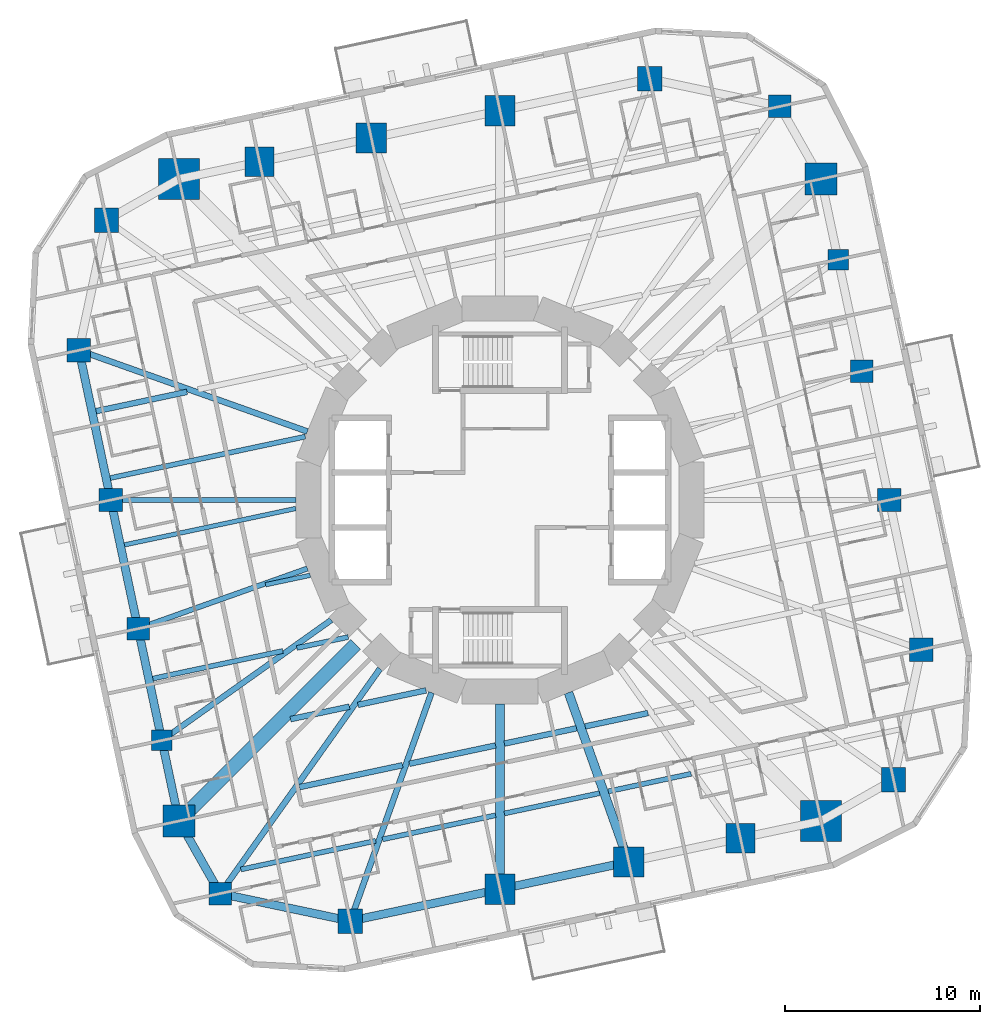
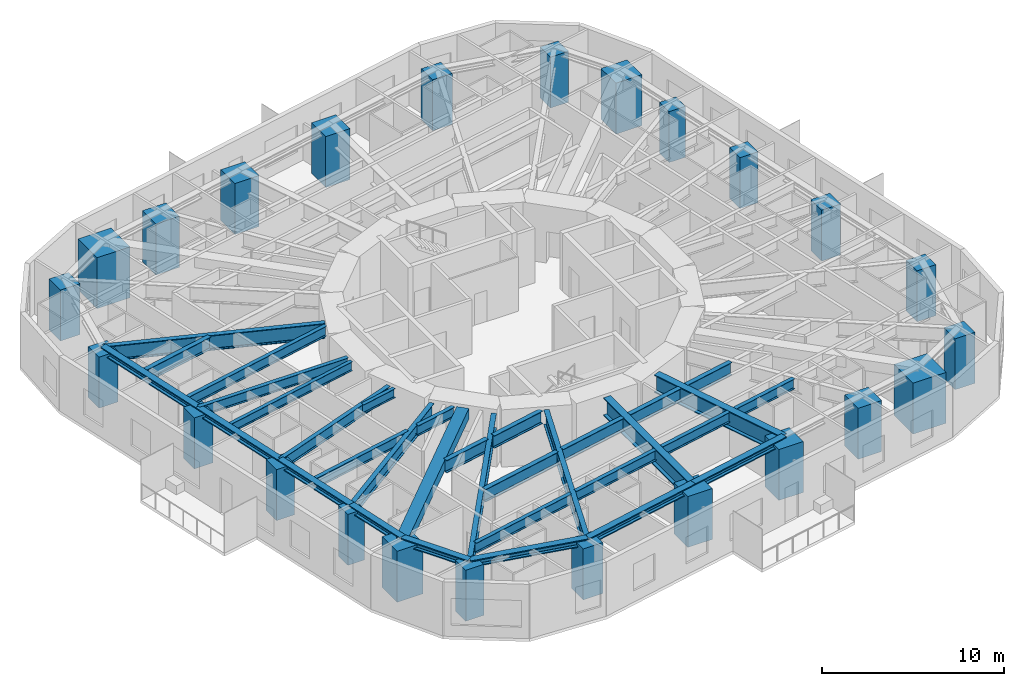
# One storey, part 1 of 13: 24 beams, 24 columns, 9 members.
"""IFC4 building model written with IfcOpenShell, lengths in metres."""

from ifc_helpers import new_model, si_unit, direction, frame, origin, origin_2d, place, context, subcontext, project, spatial, rectangle, hollow_rectangle, i_section, extrude, material, material_profile, profile_set, type_object, element, save


model = new_model("IFC4")

# Units and contexts
model_context = context("Model", 3, precision=1e-05, world=origin(), true_north=direction((0.0, 1.0)))
body_context = subcontext(model_context, "Body", "Model", "MODEL_VIEW")
ifc_project = project(units=[si_unit("LENGTHUNIT", "METRE"), si_unit("AREAUNIT", "SQUARE_METRE"), si_unit("VOLUMEUNIT", "CUBIC_METRE"), si_unit("PLANEANGLEUNIT", "RADIAN"), si_unit("MASSUNIT", "GRAM", prefix="KILO")], contexts=[model_context])

# Site, building, storey
site_placement = place(None, origin())
site = spatial("IfcSite", under=ifc_project, at=site_placement, CompositionType="ELEMENT")
building_placement = place(site_placement, origin())
building = spatial("IfcBuilding", under=site, at=building_placement, Name="Nakasero Lantern House", CompositionType="ELEMENT")
storey_placement = place(building_placement, frame((0.0, 0.0, 131.949951171875)))
storey = spatial("IfcBuildingStorey", under=building, at=storey_placement, Name="L32", CompositionType="ELEMENT", Elevation=131.949951171875)

# Columns
ifc_material_1 = material(Name="Concrete C50/60", Category="concrete")
ifc_material_profile_1 = material_profile(ifc_material_1, rectangle(XDim=1.64990234375, YDim=1.64990234375, at=origin_2d()), Name="RC 1650x1650")
ifc_profile_set_1 = profile_set([ifc_material_profile_1], Name="Concrete C50/60")
column_type_1 = type_object("IfcColumnType", Name="Mega column RC 1650x1650 C50/60", PredefinedType="COLUMN", material=ifc_profile_set_1)
for number, where, z_axis, x_axis, name in (
    (1, (16.44091796875, 16.44091796875, 0.0), (0.0, 0.0, 1.0), (1.0, 0.0, 0.0), "Column B3-C06 L32"),
    (2, (-16.44091796875, -16.44091796875, 0.0), (0.0, 0.0, 1.0), (1.0, 0.0, 0.0), "Column B3-C18 L32"),
):
    element("IfcColumn", number, at=place(storey_placement, frame(where, z_axis=z_axis, x_axis=x_axis)), inside=storey, type_object=column_type_1, Name=name, PredefinedType="COLUMN", context=body_context, shape_type="SweptSolid", body=[
        extrude(rectangle(XDim=1.64990234375, YDim=1.64990234375, at=origin_2d()), origin(), (0.0, 0.0, 1.0), 3.42236328125),
    ])
ifc_material_2 = material(Name="Concrete C50/60", Category="concrete")
ifc_material_profile_2 = material_profile(ifc_material_2, rectangle(XDim=2.10009765625, YDim=2.10009765625, at=origin_2d()), Name="RC 2100x2100")
ifc_profile_set_2 = profile_set([ifc_material_profile_2], Name="Concrete C50/60")
column_type_2 = type_object("IfcColumnType", Name="Mega column RC 2100x2100 C50/60", PredefinedType="COLUMN", material=ifc_profile_set_2)
for number, where, z_axis, x_axis, name in (
    (3, (-16.44091796875, 16.44091796875, 0.0), (0.0, 0.0, 1.0), (1.0, 0.0, 0.0), "Column B3-C12 L32"),
    (4, (16.44091796875, -16.44091796875, 0.0), (0.0, 0.0, 1.0), (1.0, 0.0, 0.0), "Column B3-C24 L32"),
):
    element("IfcColumn", number, at=place(storey_placement, frame(where, z_axis=z_axis, x_axis=x_axis)), inside=storey, type_object=column_type_2, Name=name, PredefinedType="COLUMN", context=body_context, shape_type="SweptSolid", body=[
        extrude(rectangle(XDim=2.10009765625, YDim=2.10009765625, at=origin_2d()), origin(), (0.0, 0.0, 1.0), 3.42236328125),
    ])
ifc_material_3 = material(Name="Concrete C50/60", Category="concrete")
ifc_material_profile_3 = material_profile(ifc_material_3, rectangle(XDim=1.050048828125, YDim=1.050048828125, at=origin_2d()), Name="RC 1050x1050")
ifc_profile_set_3 = profile_set([ifc_material_profile_3], Name="Concrete C50/60")
column_type_3 = type_object("IfcColumnType", Name="Ring column RC 1050x1050 C50/60", PredefinedType="COLUMN", material=ifc_profile_set_3)
for number, where, z_axis, x_axis, name in (
    (5, (17.318115234375, 12.31494140625, 0.0), (0.0, 0.0, 1.0), (1.0, 0.0, 0.0), "Column B3-C05 L32"),
    (6, (-17.318115234375, -12.31494140625, 0.0), (0.0, 0.0, 1.0), (1.0, 0.0, 0.0), "Column B3-C17 L32"),
):
    element("IfcColumn", number, at=place(storey_placement, frame(where, z_axis=z_axis, x_axis=x_axis)), inside=storey, type_object=column_type_3, Name=name, PredefinedType="COLUMN", context=body_context, shape_type="SweptSolid", body=[
        extrude(rectangle(XDim=1.050048828125, YDim=1.050048828125, at=origin_2d()), origin(), (0.0, 0.0, 1.0), 3.42236328125),
    ])
ifc_material_4 = material(Name="Concrete C50/60", Category="concrete")
ifc_material_profile_4 = material_profile(ifc_material_4, rectangle(XDim=1.14990234375, YDim=1.14990234375, at=origin_2d()), Name="RC 1150x1150")
ifc_profile_set_4 = profile_set([ifc_material_profile_4], Name="Concrete C50/60")
column_type_4 = type_object("IfcColumnType", Name="Ring column RC 1150x1150 C50/60", PredefinedType="COLUMN", material=ifc_profile_set_4)
for number, where, z_axis, x_axis, name in (
    (7, (18.534912109375, 6.590087890625, 0.0), (0.0, 0.0, 1.0), (1.0, 0.0, 0.0), "Column B3-C04 L32"),
    (8, (14.33349609375, 20.15625, 0.0), (0.0, 0.0, 1.0), (1.0, 0.0, 0.0), "Column B3-C07 L32"),
    (9, (-18.534912109375, -6.590087890625, 0.0), (0.0, 0.0, 1.0), (1.0, 0.0, 0.0), "Column B3-C16 L32"),
    (10, (-14.33349609375, -20.15625, 0.0), (0.0, 0.0, 1.0), (1.0, 0.0, 0.0), "Column B3-C19 L32"),
):
    element("IfcColumn", number, at=place(storey_placement, frame(where, z_axis=z_axis, x_axis=x_axis)), inside=storey, type_object=column_type_4, Name=name, PredefinedType="COLUMN", context=body_context, shape_type="SweptSolid", body=[
        extrude(rectangle(XDim=1.14990234375, YDim=1.14990234375, at=origin_2d()), origin(), (0.0, 0.0, 1.0), 3.42236328125),
    ])
ifc_material_5 = material(Name="Concrete C50/60", Category="concrete")
ifc_material_profile_5 = material_profile(ifc_material_5, rectangle(XDim=1.199951171875, YDim=1.199951171875, at=origin_2d()), Name="RC 1200x1200")
ifc_profile_set_5 = profile_set([ifc_material_profile_5], Name="Concrete C50/60")
column_type_5 = type_object("IfcColumnType", Name="Ring column RC 1200x1200 C50/60", PredefinedType="COLUMN", material=ifc_profile_set_5)
for number, where, z_axis, x_axis, name in (
    (11, (21.5654296875, -7.667724609375, 0.0), (0.0, 0.0, 1.0), (1.0, 0.0, 0.0), "Column B3-C02 L32"),
    (12, (19.935546875, 0.0, 0.0), (0.0, 0.0, 1.0), (1.0, 0.0, 0.0), "Column B3-C03 L32"),
    (13, (-21.5654296875, 7.667724609375, 0.0), (0.0, 0.0, 1.0), (1.0, 0.0, 0.0), "Column B3-C14 L32"),
    (14, (-19.935546875, 0.0, 0.0), (0.0, 0.0, 1.0), (1.0, 0.0, 0.0), "Column B3-C15 L32"),
):
    element("IfcColumn", number, at=place(storey_placement, frame(where, z_axis=z_axis, x_axis=x_axis)), inside=storey, type_object=column_type_5, Name=name, PredefinedType="COLUMN", context=body_context, shape_type="SweptSolid", body=[
        extrude(rectangle(XDim=1.199951171875, YDim=1.199951171875, at=origin_2d()), origin(), (0.0, 0.0, 1.0), 3.42236328125),
    ])
ifc_material_6 = material(Name="Concrete C50/60", Category="concrete")
ifc_material_profile_6 = material_profile(ifc_material_6, rectangle(XDim=1.25, YDim=1.25, at=origin_2d()), Name="RC 1250x1250")
ifc_profile_set_6 = profile_set([ifc_material_profile_6], Name="Concrete C50/60")
column_type_6 = type_object("IfcColumnType", Name="Ring column RC 1250x1250 C50/60", PredefinedType="COLUMN", material=ifc_profile_set_6)
for number, where, z_axis, x_axis, name in (
    (15, (20.15625, -14.33349609375, 0.0), (0.0, 0.0, 1.0), (1.0, 0.0, 0.0), "Column B3-C01 L32"),
    (16, (7.667724609375, 21.5654296875, 0.0), (0.0, 0.0, 1.0), (1.0, 0.0, 0.0), "Column B3-C08 L32"),
    (17, (-20.15625, 14.33349609375, 0.0), (0.0, 0.0, 1.0), (1.0, 0.0, 0.0), "Column B3-C13 L32"),
    (18, (-7.667724609375, -21.5654296875, 0.0), (0.0, 0.0, 1.0), (1.0, 0.0, 0.0), "Column B3-C20 L32"),
):
    element("IfcColumn", number, at=place(storey_placement, frame(where, z_axis=z_axis, x_axis=x_axis)), inside=storey, type_object=column_type_6, Name=name, PredefinedType="COLUMN", context=body_context, shape_type="SweptSolid", body=[
        extrude(rectangle(XDim=1.25, YDim=1.25, at=origin_2d()), origin(), (0.0, 0.0, 1.0), 3.42236328125),
    ])
ifc_material_7 = material(Name="Concrete C50/60", Category="concrete")
ifc_material_profile_7 = material_profile(ifc_material_7, rectangle(XDim=1.5, YDim=1.5, at=origin_2d()), Name="RC 1500x1500")
ifc_profile_set_7 = profile_set([ifc_material_profile_7], Name="Concrete C50/60")
column_type_7 = type_object("IfcColumnType", Name="Ring column RC 1500x1500 C50/60", PredefinedType="COLUMN", material=ifc_profile_set_7)
for number, where, z_axis, x_axis, name in (
    (19, (-12.31494140625, 17.318115234375, 0.0), (0.0, 0.0, 1.0), (1.0, 0.0, 0.0), "Column B3-C11 L32"),
    (20, (12.31494140625, -17.318115234375, 0.0), (0.0, 0.0, 1.0), (1.0, 0.0, 0.0), "Column B3-C23 L32"),
):
    element("IfcColumn", number, at=place(storey_placement, frame(where, z_axis=z_axis, x_axis=x_axis)), inside=storey, type_object=column_type_7, Name=name, PredefinedType="COLUMN", context=body_context, shape_type="SweptSolid", body=[
        extrude(rectangle(XDim=1.5, YDim=1.5, at=origin_2d()), origin(), (0.0, 0.0, 1.0), 3.42236328125),
    ])
ifc_material_8 = material(Name="Concrete C50/60", Category="concrete")
ifc_material_profile_8 = material_profile(ifc_material_8, rectangle(XDim=1.550048828125, YDim=1.550048828125, at=origin_2d()), Name="RC 1550x1550")
ifc_profile_set_8 = profile_set([ifc_material_profile_8], Name="Concrete C50/60")
column_type_8 = type_object("IfcColumnType", Name="Ring column RC 1550x1550 C50/60", PredefinedType="COLUMN", material=ifc_profile_set_8)
for number, where, z_axis, x_axis, name in (
    (21, (0.0, 19.935546875, 0.0), (0.0, 0.0, 1.0), (1.0, 0.0, 0.0), "Column B3-C09 L32"),
    (22, (-6.590087890625, 18.534912109375, 0.0), (0.0, 0.0, 1.0), (1.0, 0.0, 0.0), "Column B3-C10 L32"),
    (23, (0.0, -19.935546875, 0.0), (0.0, 0.0, 1.0), (1.0, 0.0, 0.0), "Column B3-C21 L32"),
    (24, (6.590087890625, -18.534912109375, 0.0), (0.0, 0.0, 1.0), (1.0, 0.0, 0.0), "Column B3-C22 L32"),
):
    element("IfcColumn", number, at=place(storey_placement, frame(where, z_axis=z_axis, x_axis=x_axis)), inside=storey, type_object=column_type_8, Name=name, PredefinedType="COLUMN", context=body_context, shape_type="SweptSolid", body=[
        extrude(rectangle(XDim=1.550048828125, YDim=1.550048828125, at=origin_2d()), origin(), (0.0, 0.0, 1.0), 3.42236328125),
    ])

# Members
ifc_material_9 = material(Name="Steel S355", Category="steel")
ifc_material_profile_9 = material_profile(ifc_material_9, i_section(OverallWidth=0.41845703125, OverallDepth=0.45556640625, WebThickness=0.0419921875, FlangeThickness=0.0673828125, FilletRadius=0.01513671875, at=origin_2d()), Name="UC 356x406x551")
ifc_profile_set_9 = profile_set([ifc_material_profile_9], Name="Steel S355")
member_type_1 = type_object("IfcMemberType", Name="Belt truss chord UC 356x406x551", PredefinedType="CHORD", material=ifc_profile_set_9)
member_1_placement = place(storey_placement, frame((-21.5654296875, 7.667724609375, 3.42236328125), z_axis=(0.207918725139, -0.978146105516, 0.0), x_axis=(0.978146105516, 0.207918725139, 0.0)))
element("IfcMember", 25, at=member_1_placement, inside=storey, type_object=member_type_1, Name="Belt truss bottom chord T3 B3-C14", PredefinedType="CHORD", context=body_context, shape_type="SweptSolid", body=[
    extrude(i_section(OverallWidth=0.41845703125, OverallDepth=0.45556640625, WebThickness=0.0419921875, FlangeThickness=0.0673828125, FilletRadius=0.01513671875, at=origin_2d()), origin(), (0.0, 0.0, 1.0), 7.839111328125),
])
member_2_placement = place(storey_placement, frame((-19.935546875, 0.0, 3.42236328125), z_axis=(0.20789299389, -0.978151574702, 0.0), x_axis=(0.978151574702, 0.20789299389, 0.0)))
element("IfcMember", 26, at=member_2_placement, inside=storey, type_object=member_type_1, Name="Belt truss bottom chord T3 B3-C15", PredefinedType="CHORD", context=body_context, shape_type="SweptSolid", body=[
    extrude(i_section(OverallWidth=0.41845703125, OverallDepth=0.45556640625, WebThickness=0.0419921875, FlangeThickness=0.0673828125, FilletRadius=0.01513671875, at=origin_2d()), origin(), (0.0, 0.0, 1.0), 6.7373046875),
])
member_3_placement = place(storey_placement, frame((-18.534912109375, -6.590087890625, 3.42236328125), z_axis=(0.207902159541, -0.978149626621, 0.0), x_axis=(0.978149626621, 0.207902159541, 0.0)))
element("IfcMember", 27, at=member_3_placement, inside=storey, type_object=member_type_1, Name="Belt truss bottom chord T3 B3-C16", PredefinedType="CHORD", context=body_context, shape_type="SweptSolid", body=[
    extrude(i_section(OverallWidth=0.41845703125, OverallDepth=0.45556640625, WebThickness=0.0419921875, FlangeThickness=0.0673828125, FilletRadius=0.01513671875, at=origin_2d()), origin(), (0.0, 0.0, 1.0), 5.852783203125),
])
member_4_placement = place(storey_placement, frame((-17.318115234375, -12.31494140625, 3.42236328125), z_axis=(0.207955665195, -0.978138252658, 0.0), x_axis=(0.978138252658, 0.207955665195, 0.0)))
element("IfcMember", 28, at=member_4_placement, inside=storey, type_object=member_type_1, Name="Belt truss bottom chord T3 B3-C17", PredefinedType="CHORD", context=body_context, shape_type="SweptSolid", body=[
    extrude(i_section(OverallWidth=0.41845703125, OverallDepth=0.45556640625, WebThickness=0.0419921875, FlangeThickness=0.0673828125, FilletRadius=0.01513671875, at=origin_2d()), origin(), (0.0, 0.0, 1.0), 4.21826171875),
])
member_5_placement = place(storey_placement, frame((-16.44091796875, -16.44091796875, 3.42236328125), z_axis=(0.493378832737, -0.869814536213, 0.0), x_axis=(0.869814536213, 0.493378832737, 0.0)))
element("IfcMember", 29, at=member_5_placement, inside=storey, type_object=member_type_1, Name="Belt truss bottom chord T3 B3-C18", PredefinedType="CHORD", context=body_context, shape_type="SweptSolid", body=[
    extrude(i_section(OverallWidth=0.41845703125, OverallDepth=0.45556640625, WebThickness=0.0419921875, FlangeThickness=0.0673828125, FilletRadius=0.01513671875, at=origin_2d()), origin(), (0.0, 0.0, 1.0), 4.271484375),
])
member_6_placement = place(storey_placement, frame((-14.33349609375, -20.15625, 3.42236328125), z_axis=(0.978376066473, -0.206833925052, 0.0), x_axis=(0.206833925052, 0.978376066473, 0.0)))
element("IfcMember", 30, at=member_6_placement, inside=storey, type_object=member_type_1, Name="Belt truss bottom chord T3 B3-C19", PredefinedType="CHORD", context=body_context, shape_type="SweptSolid", body=[
    extrude(i_section(OverallWidth=0.41845703125, OverallDepth=0.45556640625, WebThickness=0.0419921875, FlangeThickness=0.0673828125, FilletRadius=0.01513671875, at=origin_2d()), origin(), (0.0, 0.0, 1.0), 6.81298828125),
])
member_7_placement = place(storey_placement, frame((-7.667724609375, -21.5654296875, 3.42236328125), z_axis=(0.978146105516, 0.207918725139, 0.0), x_axis=(-0.207918725139, 0.978146105516, 0.0)))
element("IfcMember", 31, at=member_7_placement, inside=storey, type_object=member_type_1, Name="Belt truss bottom chord T3 B3-C20", PredefinedType="CHORD", context=body_context, shape_type="SweptSolid", body=[
    extrude(i_section(OverallWidth=0.41845703125, OverallDepth=0.45556640625, WebThickness=0.0419921875, FlangeThickness=0.0673828125, FilletRadius=0.01513671875, at=origin_2d()), origin(), (0.0, 0.0, 1.0), 7.839111328125),
])
member_8_placement = place(storey_placement, frame((0.0, -19.935546875, 3.42236328125), z_axis=(0.978151574702, 0.20789299389, 0.0), x_axis=(-0.20789299389, 0.978151574702, 0.0)))
element("IfcMember", 32, at=member_8_placement, inside=storey, type_object=member_type_1, Name="Belt truss bottom chord T3 B3-C21", PredefinedType="CHORD", context=body_context, shape_type="SweptSolid", body=[
    extrude(i_section(OverallWidth=0.41845703125, OverallDepth=0.45556640625, WebThickness=0.0419921875, FlangeThickness=0.0673828125, FilletRadius=0.01513671875, at=origin_2d()), origin(), (0.0, 0.0, 1.0), 6.7373046875),
])

# Beams
ifc_material_10 = material(Name="Steel S355", Category="steel")
ifc_material_profile_10 = material_profile(ifc_material_10, i_section(OverallWidth=0.22900390625, OverallDepth=0.6123046875, WebThickness=0.011962890625, FlangeThickness=0.01953125, FilletRadius=0.0126953125, at=origin_2d()), Name="UB 610x229x125")
ifc_profile_set_10 = profile_set([ifc_material_profile_10], Name="Steel S355")
beam_type_1 = type_object("IfcBeamType", Name="Infill beam UB 610x229x125", PredefinedType="JOIST", material=ifc_profile_set_10)
beam_1_placement = place(storey_placement, frame((-12.009521484375, -4.341796875, 3.343994140625), z_axis=(0.978152481644, 0.207888726617, 0.0), x_axis=(-0.207888726617, 0.978152481644, 0.0)))
element("IfcBeam", 33, at=beam_1_placement, inside=storey, type_object=beam_type_1, Name="Infill beam L33 07.1", PredefinedType="JOIST", context=body_context, shape_type="SweptSolid", body=[
    extrude(i_section(OverallWidth=0.22900390625, OverallDepth=0.6123046875, WebThickness=0.011962890625, FlangeThickness=0.01953125, FilletRadius=0.0126953125, at=origin_2d()), origin(), (0.0, 0.0, 1.0), 2.338134765625),
])
beam_2_placement = place(storey_placement, frame((-19.233154296875, -2.299072265625, 3.343994140625), z_axis=(0.978148337079, 0.207908226555, 0.0), x_axis=(-0.207908226555, 0.978148337079, 0.0)))
element("IfcBeam", 34, at=beam_2_placement, inside=storey, type_object=beam_type_1, Name="Infill beam L33 08.1", PredefinedType="JOIST", context=body_context, shape_type="SweptSolid", body=[
    extrude(i_section(OverallWidth=0.22900390625, OverallDepth=0.6123046875, WebThickness=0.011962890625, FlangeThickness=0.01953125, FilletRadius=0.0126953125, at=origin_2d()), origin(), (0.0, 0.0, 1.0), 8.971435546875),
])
ifc_material_11 = material(Name="Steel S355", Category="steel")
ifc_material_profile_11 = material_profile(ifc_material_11, i_section(OverallWidth=0.253662109375, OverallDepth=0.68359375, WebThickness=0.012451171875, FlangeThickness=0.01904296875, FilletRadius=0.01513671875, at=origin_2d()), Name="UB 686x254x140")
ifc_profile_set_11 = profile_set([ifc_material_profile_11], Name="Steel S355")
beam_type_2 = type_object("IfcBeamType", Name="Infill beam UB 686x254x140", PredefinedType="JOIST", material=ifc_profile_set_11)
beam_3_placement = place(storey_placement, frame((-13.270751953125, -18.922607421875, 3.308349609375), z_axis=(0.978150849979, 0.207896403734, 0.0), x_axis=(-0.207896403734, 0.978150849979, 0.0)))
element("IfcBeam", 35, at=beam_3_placement, inside=storey, type_object=beam_type_2, Name="Infill beam L33 03.1", PredefinedType="JOIST", context=body_context, shape_type="SweptSolid", body=[
    extrude(i_section(OverallWidth=0.253662109375, OverallDepth=0.68359375, WebThickness=0.012451171875, FlangeThickness=0.01904296875, FilletRadius=0.01513671875, at=origin_2d()), origin(), (0.0, 0.0, 1.0), 7.057861328125),
])
beam_4_placement = place(storey_placement, frame((-6.019287109375, -17.38134765625, 3.308349609375), z_axis=(0.978144288805, 0.207927271606, 0.0), x_axis=(-0.207927271606, 0.978144288805, 0.0)))
element("IfcBeam", 36, at=beam_4_placement, inside=storey, type_object=beam_type_2, Name="Infill beam L33 03.2", PredefinedType="JOIST", context=body_context, shape_type="SweptSolid", body=[
    extrude(i_section(OverallWidth=0.253662109375, OverallDepth=0.68359375, WebThickness=0.012451171875, FlangeThickness=0.01904296875, FilletRadius=0.01513671875, at=origin_2d()), origin(), (0.0, 0.0, 1.0), 5.923583984375),
])
beam_5_placement = place(storey_placement, frame((0.22509765625, -16.053955078125, 3.308349609375), z_axis=(0.978147272959, 0.207913232873, 0.0), x_axis=(-0.207913232873, 0.978147272959, 0.0)))
element("IfcBeam", 37, at=beam_5_placement, inside=storey, type_object=beam_type_2, Name="Infill beam L33 03.3", PredefinedType="JOIST", context=body_context, shape_type="SweptSolid", body=[
    extrude(i_section(OverallWidth=0.253662109375, OverallDepth=0.68359375, WebThickness=0.012451171875, FlangeThickness=0.01904296875, FilletRadius=0.01513671875, at=origin_2d()), origin(), (0.0, 0.0, 1.0), 4.984619140625),
])
beam_6_placement = place(storey_placement, frame((5.544921875, -14.92333984375, 3.308349609375), z_axis=(0.978138100203, 0.207956382282, 0.0), x_axis=(-0.207956382282, 0.978138100203, 0.0)))
element("IfcBeam", 38, at=beam_6_placement, inside=storey, type_object=beam_type_2, Name="Infill beam L33 03.4", PredefinedType="JOIST", context=body_context, shape_type="SweptSolid", body=[
    extrude(i_section(OverallWidth=0.253662109375, OverallDepth=0.68359375, WebThickness=0.012451171875, FlangeThickness=0.01904296875, FilletRadius=0.01513671875, at=origin_2d()), origin(), (0.0, 0.0, 1.0), 4.336669921875),
])
beam_7_placement = place(storey_placement, frame((-17.777587890625, -9.14599609375, 3.308349609375), z_axis=(0.978151460032, 0.207893533418, 0.0), x_axis=(-0.207893533418, 0.978151460032, 0.0)))
element("IfcBeam", 39, at=beam_7_placement, inside=storey, type_object=beam_type_2, Name="Infill beam L33 06.1", PredefinedType="JOIST", context=body_context, shape_type="SweptSolid", body=[
    extrude(i_section(OverallWidth=0.253662109375, OverallDepth=0.68359375, WebThickness=0.012451171875, FlangeThickness=0.01904296875, FilletRadius=0.01513671875, at=origin_2d()), origin(), (0.0, 0.0, 1.0), 6.80078125),
])
beam_8_placement = place(storey_placement, frame((-10.40576171875, -7.5791015625, 3.308349609375), z_axis=(0.978149867125, 0.207901027998, 0.0), x_axis=(-0.207901027998, 0.978149867125, 0.0)))
element("IfcBeam", 40, at=beam_8_placement, inside=storey, type_object=beam_type_2, Name="Infill beam L33 06.2", PredefinedType="JOIST", context=body_context, shape_type="SweptSolid", body=[
    extrude(i_section(OverallWidth=0.253662109375, OverallDepth=0.68359375, WebThickness=0.012451171875, FlangeThickness=0.01904296875, FilletRadius=0.01513671875, at=origin_2d()), origin(), (0.0, 0.0, 1.0), 2.69384765625),
])
beam_9_placement = place(storey_placement, frame((-19.960693359375, 1.12451171875, 3.308349609375), z_axis=(0.978149612104, 0.207902227842, 0.0), x_axis=(-0.207902227842, 0.978149612104, 0.0)))
element("IfcBeam", 41, at=beam_9_placement, inside=storey, type_object=beam_type_2, Name="Infill beam L33 09.1", PredefinedType="JOIST", context=body_context, shape_type="SweptSolid", body=[
    extrude(i_section(OverallWidth=0.253662109375, OverallDepth=0.68359375, WebThickness=0.012451171875, FlangeThickness=0.01904296875, FilletRadius=0.01513671875, at=origin_2d()), origin(), (0.0, 0.0, 1.0), 10.20947265625),
])
ifc_material_12 = material(Name="Steel S355", Category="steel")
ifc_material_profile_12 = material_profile(ifc_material_12, i_section(OverallWidth=0.29248046875, OverallDepth=0.8408203125, WebThickness=0.0146484375, FlangeThickness=0.02685546875, FilletRadius=0.017822265625, at=origin_2d()), Name="UB 838x292x194")
ifc_profile_set_12 = profile_set([ifc_material_profile_12], Name="Steel S355")
beam_type_3 = type_object("IfcBeamType", Name="Infill beam UB 838x292x194", PredefinedType="JOIST", material=ifc_profile_set_12)
beam_10_placement = place(storey_placement, frame((-10.273193359375, -14.707275390625, 3.229736328125), z_axis=(0.978148394373, 0.207907957005, 0.0), x_axis=(-0.207907957005, 0.978148394373, 0.0)))
element("IfcBeam", 42, at=beam_10_placement, inside=storey, type_object=beam_type_3, Name="Infill beam L33 04.1", PredefinedType="JOIST", context=body_context, shape_type="SweptSolid", body=[
    extrude(i_section(OverallWidth=0.29248046875, OverallDepth=0.8408203125, WebThickness=0.0146484375, FlangeThickness=0.02685546875, FilletRadius=0.017822265625, at=origin_2d()), origin(), (0.0, 0.0, 1.0), 5.400390625),
])
beam_11_placement = place(storey_placement, frame((-4.64306640625, -13.510498046875, 3.229736328125), z_axis=(0.978152256367, 0.207889786582, 0.0), x_axis=(-0.207889786582, 0.978152256367, 0.0)))
element("IfcBeam", 43, at=beam_11_placement, inside=storey, type_object=beam_type_3, Name="Infill beam L33 04.2", PredefinedType="JOIST", context=body_context, shape_type="SweptSolid", body=[
    extrude(i_section(OverallWidth=0.29248046875, OverallDepth=0.8408203125, WebThickness=0.0146484375, FlangeThickness=0.02685546875, FilletRadius=0.017822265625, at=origin_2d()), origin(), (0.0, 0.0, 1.0), 4.5166015625),
])
beam_12_placement = place(storey_placement, frame((0.22509765625, -12.475830078125, 3.229736328125), z_axis=(0.97814931761, 0.207903613389, 0.0), x_axis=(-0.207903613389, 0.97814931761, 0.0)))
element("IfcBeam", 44, at=beam_12_placement, inside=storey, type_object=beam_type_3, Name="Infill beam L33 04.3", PredefinedType="JOIST", context=body_context, shape_type="SweptSolid", body=[
    extrude(i_section(OverallWidth=0.29248046875, OverallDepth=0.8408203125, WebThickness=0.0146484375, FlangeThickness=0.02685546875, FilletRadius=0.017822265625, at=origin_2d()), origin(), (0.0, 0.0, 1.0), 3.775390625),
])
beam_13_placement = place(storey_placement, frame((4.362060546875, -11.596435546875, 3.229736328125), z_axis=(0.978155452076, 0.207874749727, 0.0), x_axis=(-0.207874749727, 0.978155452076, 0.0)))
element("IfcBeam", 45, at=beam_13_placement, inside=storey, type_object=beam_type_3, Name="Infill beam L33 04.4", PredefinedType="JOIST", context=body_context, shape_type="SweptSolid", body=[
    extrude(i_section(OverallWidth=0.29248046875, OverallDepth=0.8408203125, WebThickness=0.0146484375, FlangeThickness=0.02685546875, FilletRadius=0.017822265625, at=origin_2d()), origin(), (0.0, 0.0, 1.0), 3.2861328125),
])
beam_14_placement = place(storey_placement, frame((-10.731689453125, -11.2265625, 3.229736328125), z_axis=(0.978145985167, 0.207919291317, 0.0), x_axis=(-0.207919291317, 0.978145985167, 0.0)))
element("IfcBeam", 46, at=beam_14_placement, inside=storey, type_object=beam_type_3, Name="Infill beam L33 05.1", PredefinedType="JOIST", context=body_context, shape_type="SweptSolid", body=[
    extrude(i_section(OverallWidth=0.29248046875, OverallDepth=0.8408203125, WebThickness=0.0146484375, FlangeThickness=0.02685546875, FilletRadius=0.017822265625, at=origin_2d()), origin(), (0.0, 0.0, 1.0), 3.0869140625),
])
beam_15_placement = place(storey_placement, frame((-7.275634765625, -10.491943359375, 3.229736328125), z_axis=(0.978144754651, 0.207925080134, 0.0), x_axis=(-0.207925080134, 0.978144754651, 0.0)))
element("IfcBeam", 47, at=beam_15_placement, inside=storey, type_object=beam_type_3, Name="Infill beam L33 05.2", PredefinedType="JOIST", context=body_context, shape_type="SweptSolid", body=[
    extrude(i_section(OverallWidth=0.29248046875, OverallDepth=0.8408203125, WebThickness=0.0146484375, FlangeThickness=0.02685546875, FilletRadius=0.017822265625, at=origin_2d()), origin(), (0.0, 0.0, 1.0), 3.56591796875),
])
beam_16_placement = place(storey_placement, frame((-20.6884765625, 4.548095703125, 3.229736328125), z_axis=(0.978154291668, 0.207880209956, 0.0), x_axis=(-0.207880209956, 0.978154291668, 0.0)))
element("IfcBeam", 48, at=beam_16_placement, inside=storey, type_object=beam_type_3, Name="Infill beam L33 10.1", PredefinedType="JOIST", context=body_context, shape_type="SweptSolid", body=[
    extrude(i_section(OverallWidth=0.29248046875, OverallDepth=0.8408203125, WebThickness=0.0146484375, FlangeThickness=0.02685546875, FilletRadius=0.017822265625, at=origin_2d()), origin(), (0.0, 0.0, 1.0), 4.763427734375),
])

# Member
ifc_material_13 = material(Name="Steel S355", Category="steel")
ifc_material_profile_13 = material_profile(ifc_material_13, hollow_rectangle(XDim=0.699951171875, YDim=0.699951171875, WallThickness=0.050048828125, at=origin_2d()), Name="BOX 700x700x50")
ifc_profile_set_13 = profile_set([ifc_material_profile_13], Name="Steel S355")
member_type_2 = type_object("IfcMemberType", Name="Outrigger chord BOX 700x700x50", PredefinedType="CHORD", material=ifc_profile_set_13)
member_9_placement = place(storey_placement, frame((-16.44091796875, -16.44091796875, 3.300048828125), z_axis=(0.707106781187, 0.707106781187, 0.0), x_axis=(-0.707106781187, 0.707106781187, 0.0)))
element("IfcMember", 49, at=member_9_placement, inside=storey, type_object=member_type_2, Name="Outrigger chord L33 B3-C18", PredefinedType="CHORD", context=body_context, shape_type="SweptSolid", body=[
    extrude(hollow_rectangle(XDim=0.699951171875, YDim=0.699951171875, WallThickness=0.050048828125, at=origin_2d()), origin(), (0.0, 0.0, 1.0), 12.793212890625),
])

# Beams
ifc_material_14 = material(Name="Steel S355", Category="steel")
ifc_material_profile_14 = material_profile(ifc_material_14, i_section(OverallWidth=0.449951171875, OverallDepth=1.199951171875, WebThickness=0.02490234375, FlangeThickness=0.06005859375, at=origin_2d()), Name="PG 1200x450x636")
ifc_profile_set_14 = profile_set([ifc_material_profile_14], Name="Steel S355")
beam_type_4 = type_object("IfcBeamType", Name="Primary beam PG 1200x450x636, span 9 to 12 m", PredefinedType="BEAM", material=ifc_profile_set_14)
beam_17_placement = place(storey_placement, frame((0.0, -19.935546875, 3.050048828125), z_axis=(0.0, 1.0, 0.0), x_axis=(-1.0, 0.0, 0.0)))
element("IfcBeam", 50, at=beam_17_placement, inside=storey, type_object=beam_type_4, Name="Primary beam L33 B3-C21", PredefinedType="BEAM", context=body_context, shape_type="SweptSolid", body=[
    extrude(i_section(OverallWidth=0.449951171875, OverallDepth=1.199951171875, WebThickness=0.02490234375, FlangeThickness=0.06005859375, at=origin_2d()), origin(), (0.0, 0.0, 1.0), 9.477783203125),
])
beam_18_placement = place(storey_placement, frame((6.590087890625, -18.534912109375, 3.050048828125), z_axis=(-0.335001291255, 0.942217668513, 0.0), x_axis=(-0.942217668513, -0.335001291255, 0.0)))
element("IfcBeam", 51, at=beam_18_placement, inside=storey, type_object=beam_type_4, Name="Primary beam L33 B3-C22", PredefinedType="BEAM", context=body_context, shape_type="SweptSolid", body=[
    extrude(i_section(OverallWidth=0.449951171875, OverallDepth=1.199951171875, WebThickness=0.02490234375, FlangeThickness=0.06005859375, at=origin_2d()), origin(), (0.0, 0.0, 1.0), 9.199951171875),
])
ifc_material_15 = material(Name="Steel S355", Category="steel")
ifc_material_profile_15 = material_profile(ifc_material_15, i_section(OverallWidth=0.302001953125, OverallDepth=1.008056640625, WebThickness=0.02099609375, FlangeThickness=0.0400390625, FilletRadius=0.030029296875, at=origin_2d()), Name="UB 1016x305x349")
ifc_profile_set_15 = profile_set([ifc_material_profile_15], Name="Steel S355")
beam_type_5 = type_object("IfcBeamType", Name="Primary beam UB 1016x305x349, span 12 to 15 m", PredefinedType="BEAM", material=ifc_profile_set_15)
beam_19_placement = place(storey_placement, frame((-14.33349609375, -20.15625, 3.095947265625), z_axis=(0.57953679421, 0.814946074386, 0.0), x_axis=(-0.814946074386, 0.57953679421, 0.0)))
element("IfcBeam", 52, at=beam_19_placement, inside=storey, type_object=beam_type_5, Name="Primary beam L33 B3-C19", PredefinedType="BEAM", context=body_context, shape_type="SweptSolid", body=[
    extrude(i_section(OverallWidth=0.302001953125, OverallDepth=1.008056640625, WebThickness=0.02099609375, FlangeThickness=0.0400390625, FilletRadius=0.030029296875, at=origin_2d()), origin(), (0.0, 0.0, 1.0), 14.127197265625),
])
ifc_material_16 = material(Name="Steel S355", Category="steel")
ifc_material_profile_16 = material_profile(ifc_material_16, i_section(OverallWidth=0.302978515625, OverallDepth=1.015869140625, WebThickness=0.0244140625, FlangeThickness=0.0439453125, FilletRadius=0.030029296875, at=origin_2d()), Name="UB 1016x305x393")
ifc_profile_set_16 = profile_set([ifc_material_profile_16], Name="Steel S355")
beam_type_6 = type_object("IfcBeamType", Name="Primary beam UB 1016x305x393, span 12 to 15 m", PredefinedType="BEAM", material=ifc_profile_set_16)
for number, where, z_axis, x_axis, name in (
    (53, (-21.5654296875, 7.667724609375, 3.14208984375), (0.942213862739, -0.335011995103, 0.0), (0.335011995103, 0.942213862739, 0.0), "Primary beam L33 B3-C14"),
    (54, (-7.667724609375, -21.5654296875, 3.14208984375), (0.335011995103, 0.942213862739, 0.0), (-0.942213862739, 0.335011995103, 0.0), "Primary beam L33 B3-C20"),
):
    element("IfcBeam", number, at=place(storey_placement, frame(where, z_axis=z_axis, x_axis=x_axis)), inside=storey, type_object=beam_type_6, Name=name, PredefinedType="BEAM", context=body_context, shape_type="SweptSolid", body=[
        extrude(i_section(OverallWidth=0.302978515625, OverallDepth=1.015869140625, WebThickness=0.0244140625, FlangeThickness=0.0439453125, FilletRadius=0.030029296875, at=origin_2d()), origin(), (0.0, 0.0, 1.0), 12.41650390625),
    ])
ifc_material_17 = material(Name="Steel S355", Category="steel")
ifc_material_profile_17 = material_profile(ifc_material_17, i_section(OverallWidth=0.253662109375, OverallDepth=0.68359375, WebThickness=0.012451171875, FlangeThickness=0.01904296875, FilletRadius=0.01513671875, at=origin_2d()), Name="UB 686x254x140")
ifc_profile_set_17 = profile_set([ifc_material_profile_17], Name="Steel S355")
beam_type_7 = type_object("IfcBeamType", Name="Primary beam UB 686x254x140, span 9 to 12 m", PredefinedType="BEAM", material=ifc_profile_set_17)
beam_20_placement = place(storey_placement, frame((-19.935546875, 0.0, 3.308349609375), z_axis=(1.0, 0.0, 0.0), x_axis=(0.0, 1.0, 0.0)))
element("IfcBeam", 55, at=beam_20_placement, inside=storey, type_object=beam_type_7, Name="Primary beam L33 B3-C15", PredefinedType="BEAM", context=body_context, shape_type="SweptSolid", body=[
    extrude(i_section(OverallWidth=0.253662109375, OverallDepth=0.68359375, WebThickness=0.012451171875, FlangeThickness=0.01904296875, FilletRadius=0.01513671875, at=origin_2d()), origin(), (0.0, 0.0, 1.0), 9.477783203125),
])
ifc_material_18 = material(Name="Steel S355", Category="steel")
ifc_material_profile_18 = material_profile(ifc_material_18, i_section(OverallWidth=0.2666015625, OverallDepth=0.76220703125, WebThickness=0.014404296875, FlangeThickness=0.021484375, FilletRadius=0.0166015625, at=origin_2d()), Name="UB 762x267x173")
ifc_profile_set_18 = profile_set([ifc_material_profile_18], Name="Steel S355")
beam_type_8 = type_object("IfcBeamType", Name="Primary beam UB 762x267x173, span 9 to 12 m", PredefinedType="BEAM", material=ifc_profile_set_18)
beam_21_placement = place(storey_placement, frame((-18.534912109375, -6.590087890625, 3.26904296875), z_axis=(0.942217668513, 0.335001291255, 0.0), x_axis=(-0.335001291255, 0.942217668513, 0.0)))
element("IfcBeam", 56, at=beam_21_placement, inside=storey, type_object=beam_type_8, Name="Primary beam L33 B3-C16", PredefinedType="BEAM", context=body_context, shape_type="SweptSolid", body=[
    extrude(i_section(OverallWidth=0.2666015625, OverallDepth=0.76220703125, WebThickness=0.014404296875, FlangeThickness=0.021484375, FilletRadius=0.0166015625, at=origin_2d()), origin(), (0.0, 0.0, 1.0), 9.199951171875),
])
ifc_material_19 = material(Name="Steel S355", Category="steel")
ifc_material_profile_19 = material_profile(ifc_material_19, i_section(OverallWidth=0.29248046875, OverallDepth=0.8408203125, WebThickness=0.0146484375, FlangeThickness=0.02685546875, FilletRadius=0.017822265625, at=origin_2d()), Name="UB 838x292x194")
ifc_profile_set_19 = profile_set([ifc_material_profile_19], Name="Steel S355")
beam_type_9 = type_object("IfcBeamType", Name="Primary beam UB 838x292x194, span 9 to 12 m", PredefinedType="BEAM", material=ifc_profile_set_19)
beam_22_placement = place(storey_placement, frame((-17.318115234375, -12.31494140625, 3.229736328125), z_axis=(0.814957491022, 0.579520739774, 0.0), x_axis=(-0.579520739774, 0.814957491022, 0.0)))
element("IfcBeam", 57, at=beam_22_placement, inside=storey, type_object=beam_type_9, Name="Primary beam L33 B3-C17", PredefinedType="BEAM", context=body_context, shape_type="SweptSolid", body=[
    extrude(i_section(OverallWidth=0.29248046875, OverallDepth=0.8408203125, WebThickness=0.0146484375, FlangeThickness=0.02685546875, FilletRadius=0.017822265625, at=origin_2d()), origin(), (0.0, 0.0, 1.0), 10.64453125),
])

save(model, "model.ifc")
